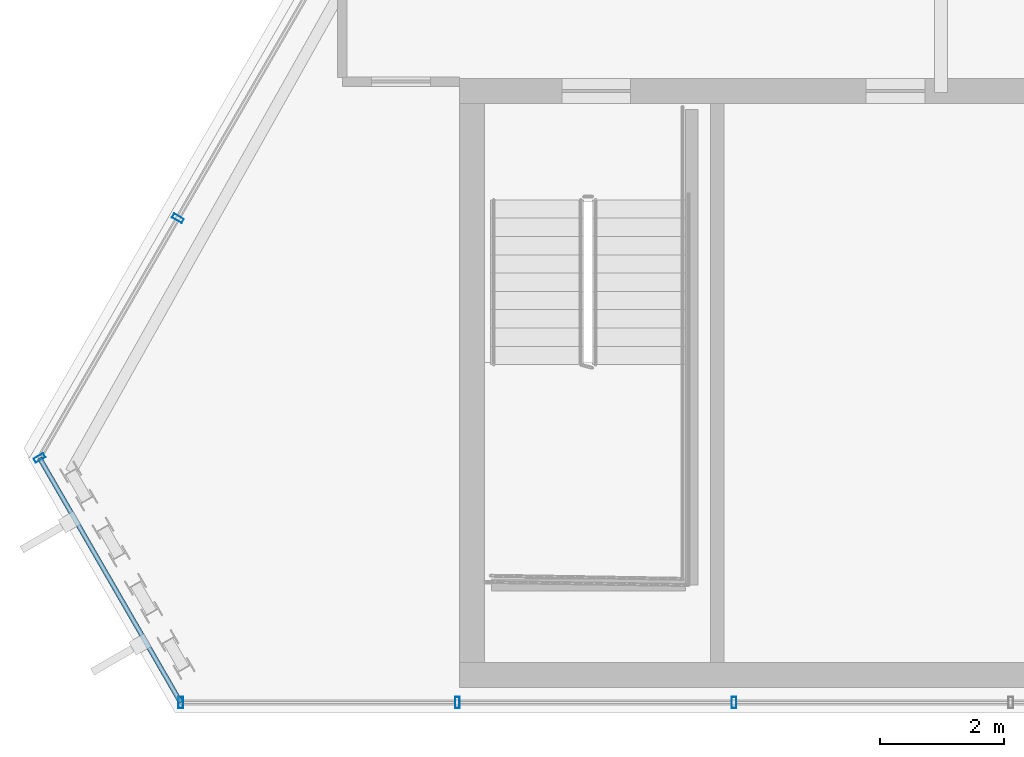
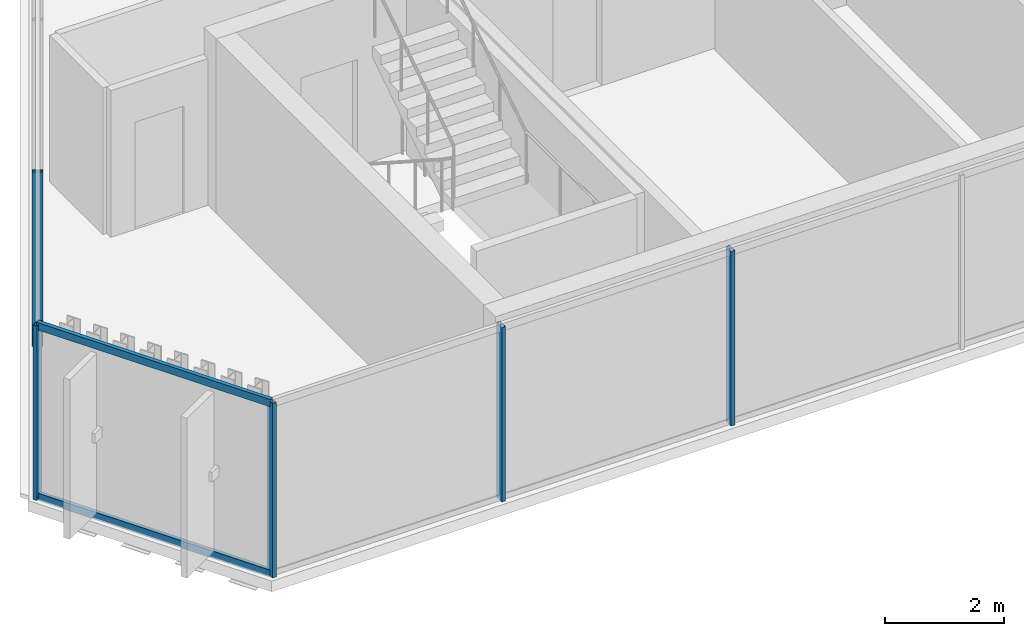
# One storey, part 3 of 32: 7 members, 3 elements without a shape of their own.
"""IFC4 building model written with IfcOpenShell, lengths in metres."""

from ifc_helpers import new_model, si_unit, direction, frame, origin, origin_2d, place, context, subcontext, project, spatial, hollow_rectangle, extrude, material, layer, layer_set, material_profile, profile_set, type_object, element, aggregate, save


model = new_model("IFC4")

# Units and contexts
model_context = context("Model", 3, precision=1e-05, world=origin(), true_north=direction((0.0, 1.0)))
body_context = subcontext(model_context, "Body", "Model", "MODEL_VIEW")
ifc_project = project(units=[si_unit("LENGTHUNIT", "METRE"), si_unit("AREAUNIT", "SQUARE_METRE"), si_unit("VOLUMEUNIT", "CUBIC_METRE"), si_unit("PLANEANGLEUNIT", "RADIAN"), si_unit("MASSUNIT", "GRAM", prefix="KILO")], contexts=[model_context])

# Site, building, storey
site_placement = place(None, origin())
site = spatial("IfcSite", under=ifc_project, at=site_placement, CompositionType="ELEMENT")
building_placement = place(site_placement, origin())
building = spatial("IfcBuilding", under=site, at=building_placement, Name="Ndaravel Arena Tower", CompositionType="ELEMENT")
storey_placement = place(building_placement, frame((0.0, 0.0, 283.300048828125)))
storey = spatial("IfcBuildingStorey", under=building, at=storey_placement, Name="L69", CompositionType="ELEMENT", Elevation=283.300048828125)

# Curtain wall, members
ifc_material_1 = material(Name="Aluminium", Category="aluminium")
ifc_layer_1 = layer(ifc_material_1, 0.179931640625)
ifc_layer_set_1 = layer_set([ifc_layer_1], Name="Aluminium")
curtain_wall_type_1 = type_object("IfcCurtainWallType", Name="CW-SYS-03", PredefinedType="NOTDEFINED", material=ifc_layer_set_1)
curtain_wall_1_placement = place(storey_placement, origin())
curtain_wall_1 = element("IfcCurtainWall", 1, at=curtain_wall_1_placement, inside=storey, type_object=curtain_wall_type_1, Name="L69 Faceted Crystal Curtain Wall CW-L69-E01", PredefinedType="NOTDEFINED")
ifc_material_2 = material(Name="Aluminium", Category="aluminium")
ifc_material_profile_1 = material_profile(ifc_material_2, hollow_rectangle(XDim=0.074951171875, YDim=0.179931640625, WallThickness=0.00390625, at=origin_2d()), Name="CW MULLION 75x180x4")
ifc_profile_set_1 = profile_set([ifc_material_profile_1], Name="Aluminium")
member_type_1 = type_object("IfcMemberType", Name="MEM-CW-MUL180", PredefinedType="MULLION", material=ifc_profile_set_1)
member_1_placement = place(storey_placement, frame((21.96484375, 5.159912109375, 0.0), z_axis=(0.0, 0.0, 1.0), x_axis=(1.0, 0.0, 0.0)))
member_1 = element("IfcMember", 2, at=member_1_placement, type_object=member_type_1, Name="CW-L69-E01 Mullion 00", PredefinedType="MULLION", context=body_context, shape_type="SweptSolid", body=[
    extrude(hollow_rectangle(XDim=0.074951171875, YDim=0.179931640625, WallThickness=0.00390625, at=origin_2d()), origin(), (0.0, 0.0, 1.0), 3.579833984375),
])
member_2_placement = place(storey_placement, frame((26.4169921875, 5.159912109375, 0.0), z_axis=(0.0, 0.0, 1.0), x_axis=(1.0, 0.0, 0.0)))
member_2 = element("IfcMember", 3, at=member_2_placement, type_object=member_type_1, Name="CW-L69-E01 Mullion 01", PredefinedType="MULLION", context=body_context, shape_type="SweptSolid", body=[
    extrude(hollow_rectangle(XDim=0.074951171875, YDim=0.179931640625, WallThickness=0.00390625, at=origin_2d()), origin(), (0.0, 0.0, 1.0), 3.579833984375),
])
member_3_placement = place(storey_placement, frame((30.869384765625, 5.159912109375, 0.0), z_axis=(0.0, 0.0, 1.0), x_axis=(1.0, 0.0, 0.0)))
member_3 = element("IfcMember", 4, at=member_3_placement, type_object=member_type_1, Name="CW-L69-E01 Mullion 02", PredefinedType="MULLION", context=body_context, shape_type="SweptSolid", body=[
    extrude(hollow_rectangle(XDim=0.074951171875, YDim=0.179931640625, WallThickness=0.00390625, at=origin_2d()), origin(), (0.0, 0.0, 1.0), 3.579833984375),
])
aggregate(curtain_wall_1, [member_1, member_2, member_3])

# Curtain wall, member
curtain_wall_2_placement = place(storey_placement, origin())
curtain_wall_2 = element("IfcCurtainWall", 5, at=curtain_wall_2_placement, inside=storey, type_object=curtain_wall_type_1, Name="L69 Faceted Crystal Curtain Wall CW-L69-E05", PredefinedType="NOTDEFINED")
member_4_placement = place(storey_placement, frame((21.918701171875, 12.95166015625, 0.0), z_axis=(0.0, 0.0, 1.0), x_axis=(-0.5, -0.866025403784, 0.0)))
member_4 = element("IfcMember", 6, at=member_4_placement, type_object=member_type_1, Name="CW-L69-E05 Mullion 08", PredefinedType="MULLION", context=body_context, shape_type="SweptSolid", body=[
    extrude(hollow_rectangle(XDim=0.074951171875, YDim=0.179931640625, WallThickness=0.00390625, at=origin_2d()), origin(), (0.0, 0.0, 1.0), 3.579833984375),
])
aggregate(curtain_wall_2, [member_4])

# Curtain wall, members
ifc_material_3 = material(Name="Aluminium", Category="aluminium")
ifc_layer_2 = layer(ifc_material_3, 0.179931640625)
ifc_layer_set_2 = layer_set([ifc_layer_2], Name="Aluminium")
curtain_wall_type_2 = type_object("IfcCurtainWallType", Name="CW-SYS-02", PredefinedType="NOTDEFINED", material=ifc_layer_set_2)
curtain_wall_3_placement = place(storey_placement, origin())
curtain_wall_3 = element("IfcCurtainWall", 7, at=curtain_wall_3_placement, inside=storey, type_object=curtain_wall_type_2, Name="L69 Faceted Crystal Curtain Wall CW-L69-E06", PredefinedType="NOTDEFINED")
member_5_placement = place(storey_placement, frame((19.692626953125, 9.095947265625, 0.0), z_axis=(0.0, 0.0, 1.0), x_axis=(0.499984884929, -0.866034130299, 0.0)))
member_5 = element("IfcMember", 8, at=member_5_placement, type_object=member_type_1, Name="CW-L69-E06 Mullion 00", PredefinedType="MULLION", context=body_context, shape_type="SweptSolid", body=[
    extrude(hollow_rectangle(XDim=0.074951171875, YDim=0.179931640625, WallThickness=0.00390625, at=origin_2d()), origin(), (0.0, 0.0, 1.0), 3.579833984375),
])
ifc_material_4 = material(Name="Aluminium", Category="aluminium")
ifc_material_profile_2 = material_profile(ifc_material_4, hollow_rectangle(XDim=0.074951171875, YDim=0.14990234375, WallThickness=0.00390625, at=origin_2d()), Name="CW TRANSOM 75x150x4")
ifc_profile_set_2 = profile_set([ifc_material_profile_2], Name="Aluminium")
member_type_2 = type_object("IfcMemberType", Name="MEM-CW-TRN150", PredefinedType="USERDEFINED", material=ifc_profile_set_2)
member_6_placement = place(storey_placement, frame((19.692626953125, 9.095947265625, 0.0400390625), z_axis=(0.49995805709, -0.866049618181, 0.0), x_axis=(0.866049618181, 0.49995805709, 0.0)))
member_6 = element("IfcMember", 9, at=member_6_placement, type_object=member_type_2, Name="CW-L69-E06 Transom 01", ObjectType="TRANSOM", PredefinedType="USERDEFINED", context=body_context, shape_type="SweptSolid", body=[
    extrude(hollow_rectangle(XDim=0.074951171875, YDim=0.14990234375, WallThickness=0.00390625, at=origin_2d()), origin(), (0.0, 0.0, 1.0), 4.544921875),
])
member_7_placement = place(storey_placement, frame((19.692626953125, 9.095947265625, 3.5400390625), z_axis=(0.49995805709, -0.866049618181, 0.0), x_axis=(0.866049618181, 0.49995805709, 0.0)))
member_7 = element("IfcMember", 10, at=member_7_placement, type_object=member_type_2, Name="CW-L69-E06 Transom 02", ObjectType="TRANSOM", PredefinedType="USERDEFINED", context=body_context, shape_type="SweptSolid", body=[
    extrude(hollow_rectangle(XDim=0.074951171875, YDim=0.14990234375, WallThickness=0.00390625, at=origin_2d()), origin(), (0.0, 0.0, 1.0), 4.544921875),
])
aggregate(curtain_wall_3, [member_5, member_6, member_7])

save(model, "model.ifc")
